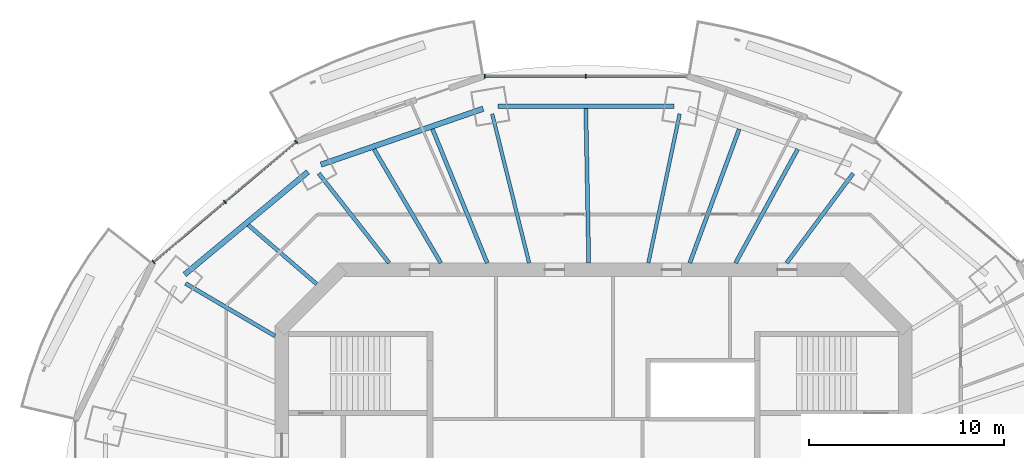
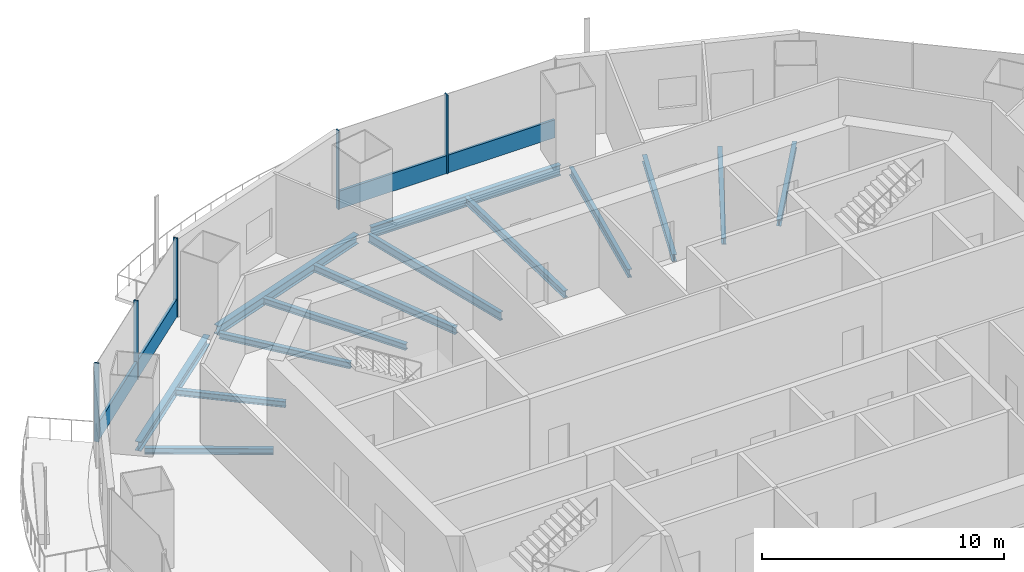
# One storey, part 5 of 16: 14 beams, 7 members, 2 elements without a shape of their own.
"""IFC4 building model written with IfcOpenShell, lengths in metres."""

from ifc_helpers import new_model, si_unit, direction, frame, origin, origin_2d, place, context, subcontext, project, spatial, rectangle, i_section, extrude, material, material_profile, profile_set, type_object, element, aggregate, save


model = new_model("IFC4")

# Units and contexts
model_context = context("Model", 3, precision=1e-05, world=origin(), true_north=direction((0.0, 1.0)))
body_context = subcontext(model_context, "Body", "Model", "MODEL_VIEW")
ifc_project = project(units=[si_unit("LENGTHUNIT", "METRE"), si_unit("AREAUNIT", "SQUARE_METRE"), si_unit("VOLUMEUNIT", "CUBIC_METRE"), si_unit("PLANEANGLEUNIT", "RADIAN"), si_unit("MASSUNIT", "GRAM", prefix="KILO")], contexts=[model_context])

# Site, building, storey
site_placement = place(None, origin())
site = spatial("IfcSite", under=ifc_project, at=site_placement, CompositionType="ELEMENT")
building_placement = place(site_placement, origin())
building = spatial("IfcBuilding", under=site, at=building_placement, Name="Marenthal Gate Tower", CompositionType="ELEMENT")
storey_placement = place(building_placement, frame((0.0, 0.0, 350.89990234375)))
storey = spatial("IfcBuildingStorey", under=building, at=storey_placement, Name="L79", CompositionType="ELEMENT", Elevation=350.89990234375)

# Curtain wall, members
ifc_material_1 = material(Name="Aluminium and glass", Category="aluminium")
curtain_wall_type = type_object("IfcCurtainWallType", Name="Curtain wall typical high", PredefinedType="NOTDEFINED", material=ifc_material_1)
curtain_wall_1_placement = place(storey_placement, origin())
curtain_wall_1 = element("IfcCurtainWall", 1, at=curtain_wall_1_placement, inside=storey, type_object=curtain_wall_type, Name="Curtain wall L79 bay 4", PredefinedType="NOTDEFINED")
ifc_material_2 = material(Name="Aluminium", Category="aluminium")
ifc_material_profile_1 = material_profile(ifc_material_2, rectangle(XDim=0.199951171875, YDim=0.06005859375, at=origin_2d()), Name="60x200 aluminium mullion")
ifc_profile_set_1 = profile_set([ifc_material_profile_1], Name="Aluminium")
member_type_1 = type_object("IfcMemberType", Name="Mullion 60x200 typical high", PredefinedType="MULLION", material=ifc_profile_set_1)
member_1_placement = place(storey_placement, frame((-0.39990234375, 22.944091796875, 0.0), z_axis=(0.0, 0.0, 1.0), x_axis=(0.0, -1.0, 0.0)))
member_1 = element("IfcMember", 2, at=member_1_placement, type_object=member_type_1, Name="Mullion L79 bay 4.2", PredefinedType="MULLION", context=body_context, shape_type="SweptSolid", body=[
    extrude(rectangle(XDim=0.199951171875, YDim=0.06005859375, at=origin_2d()), origin(), (0.0, 0.0, 1.0), 3.97021484375),
])
member_2_placement = place(storey_placement, frame((-5.580322265625, 22.944091796875, 0.0), z_axis=(0.0, 0.0, 1.0), x_axis=(0.0, -1.0, 0.0)))
member_2 = element("IfcMember", 3, at=member_2_placement, type_object=member_type_1, Name="Mullion L79 bay 4.3", PredefinedType="MULLION", context=body_context, shape_type="SweptSolid", body=[
    extrude(rectangle(XDim=0.199951171875, YDim=0.06005859375, at=origin_2d()), origin(), (0.0, 0.0, 1.0), 3.97021484375),
])

curtain_wall_2_placement = place(storey_placement, origin())
curtain_wall_2 = element("IfcCurtainWall", 4, at=curtain_wall_2_placement, inside=storey, type_object=curtain_wall_type, Name="Curtain wall L79 bay 6", PredefinedType="NOTDEFINED")
member_3_placement = place(storey_placement, frame((-15.260498046875, 19.56884765625, 0.0), z_axis=(0.0, 0.0, 1.0), x_axis=(0.643895579249, -0.765113379195, 0.0)))
member_3 = element("IfcMember", 5, at=member_3_placement, type_object=member_type_1, Name="Mullion L79 bay 6.1", PredefinedType="MULLION", context=body_context, shape_type="SweptSolid", body=[
    extrude(rectangle(XDim=0.199951171875, YDim=0.06005859375, at=origin_2d()), origin(), (0.0, 0.0, 1.0), 3.97021484375),
])
member_4_placement = place(storey_placement, frame((-18.921875, 16.487548828125, 0.0), z_axis=(0.0, 0.0, 1.0), x_axis=(0.643895579249, -0.765113379195, 0.0)))
member_4 = element("IfcMember", 6, at=member_4_placement, type_object=member_type_1, Name="Mullion L79 bay 6.2", PredefinedType="MULLION", context=body_context, shape_type="SweptSolid", body=[
    extrude(rectangle(XDim=0.199951171875, YDim=0.06005859375, at=origin_2d()), origin(), (0.0, 0.0, 1.0), 3.97021484375),
])
member_5_placement = place(storey_placement, frame((-22.583251953125, 13.40625, 0.0), z_axis=(0.0, 0.0, 1.0), x_axis=(0.643895579249, -0.765113379195, 0.0)))
member_5 = element("IfcMember", 7, at=member_5_placement, type_object=member_type_1, Name="Mullion L79 bay 6.3", PredefinedType="MULLION", context=body_context, shape_type="SweptSolid", body=[
    extrude(rectangle(XDim=0.199951171875, YDim=0.06005859375, at=origin_2d()), origin(), (0.0, 0.0, 1.0), 3.97021484375),
])

# Member
ifc_material_3 = material(Name="Aluminium", Category="aluminium")
ifc_material_profile_2 = material_profile(ifc_material_3, rectangle(XDim=0.1201171875, YDim=0.89990234375, at=origin_2d()), Name="120x900 aluminium transom")
ifc_profile_set_2 = profile_set([ifc_material_profile_2], Name="Aluminium")
member_type_2 = type_object("IfcMemberType", Name="Transom 120x900 typical high", PredefinedType="USERDEFINED", material=ifc_profile_set_2)
member_6_placement = place(storey_placement, frame((4.750244140625, 22.944091796875, 0.4501953125), z_axis=(-1.0, 0.0, 0.0), x_axis=(0.0, -1.0, 0.0)))
member_6 = element("IfcMember", 8, at=member_6_placement, type_object=member_type_2, Name="Transom L79 bay 4", ObjectType="TRANSOM", PredefinedType="USERDEFINED", context=body_context, shape_type="SweptSolid", body=[
    extrude(rectangle(XDim=0.1201171875, YDim=0.89990234375, at=origin_2d()), origin(), (0.0, 0.0, 1.0), 10.300537109375),
])

aggregate(curtain_wall_1, [member_1, member_2, member_6])

member_7_placement = place(storey_placement, frame((-15.283447265625, 19.549560546875, 0.4501953125), z_axis=(-0.765110860749, -0.643898571798, 0.0), x_axis=(0.643898571798, -0.765110860749, 0.0)))
member_7 = element("IfcMember", 9, at=member_7_placement, type_object=member_type_2, Name="Transom L79 bay 6", ObjectType="TRANSOM", PredefinedType="USERDEFINED", context=body_context, shape_type="SweptSolid", body=[
    extrude(rectangle(XDim=0.1201171875, YDim=0.89990234375, at=origin_2d()), origin(), (0.0, 0.0, 1.0), 9.5107421875),
])

aggregate(curtain_wall_2, [member_3, member_4, member_5, member_7])

# Beams
ifc_material_4 = material(Name="Steel S355", Category="steel")
ifc_material_profile_3 = material_profile(ifc_material_4, i_section(OverallWidth=0.202880859375, OverallDepth=0.302001953125, WebThickness=0.007568359375, FlangeThickness=0.01318359375, FilletRadius=0.0126953125, at=origin_2d()), Name="W310X60")
ifc_profile_set_3 = profile_set([ifc_material_profile_3], Name="Steel S355")
beam_type_1 = type_object("IfcBeamType", Name="W310X60 beam", PredefinedType="BEAM", material=ifc_profile_set_3)
beam_1_placement = place(storey_placement, frame((-17.718994140625, 15.29931640625, -0.330810546875), z_axis=(0.756893030268, -0.653538782882, 0.0), x_axis=(0.653538782882, 0.756893030268, 0.0)))
element("IfcBeam", 10, at=beam_1_placement, inside=storey, type_object=beam_type_1, Name="BM-L79-25", PredefinedType="BEAM", context=body_context, shape_type="SweptSolid", body=[
    extrude(i_section(OverallWidth=0.202880859375, OverallDepth=0.302001953125, WebThickness=0.007568359375, FlangeThickness=0.01318359375, FilletRadius=0.0126953125, at=origin_2d()), origin(), (0.0, 0.0, 1.0), 4.625244140625),
])
ifc_material_5 = material(Name="Steel S355", Category="steel")
ifc_material_profile_4 = material_profile(ifc_material_5, i_section(OverallWidth=0.205078125, OverallDepth=0.31005859375, WebThickness=0.009521484375, FlangeThickness=0.016357421875, FilletRadius=0.0126953125, at=origin_2d()), Name="W310X74")
ifc_profile_set_4 = profile_set([ifc_material_profile_4], Name="Steel S355")
beam_type_2 = type_object("IfcBeamType", Name="W310X74 beam", PredefinedType="BEAM", material=ifc_profile_set_4)
beam_2_placement = place(storey_placement, frame((13.31689453125, 17.947021484375, -0.3349609375), z_axis=(-0.595904600205, -0.803055233128, 0.0), x_axis=(0.803055233128, -0.595904600205, 0.0)))
element("IfcBeam", 11, at=beam_2_placement, inside=storey, type_object=beam_type_2, Name="BM-L79-03", PredefinedType="BEAM", context=body_context, shape_type="SweptSolid", body=[
    extrude(i_section(OverallWidth=0.205078125, OverallDepth=0.31005859375, WebThickness=0.009521484375, FlangeThickness=0.016357421875, FilletRadius=0.0126953125, at=origin_2d()), origin(), (0.0, 0.0, 1.0), 5.724365234375),
])
beam_3_placement = place(storey_placement, frame((-14.10546875, 17.95068359375, -0.3349609375), z_axis=(0.617873148228, -0.786277796138, 0.0), x_axis=(0.786277796138, 0.617873148228, 0.0)))
element("IfcBeam", 12, at=beam_3_placement, inside=storey, type_object=beam_type_2, Name="BM-L79-06", PredefinedType="BEAM", context=body_context, shape_type="SweptSolid", body=[
    extrude(i_section(OverallWidth=0.205078125, OverallDepth=0.31005859375, WebThickness=0.009521484375, FlangeThickness=0.016357421875, FilletRadius=0.0126953125, at=origin_2d()), origin(), (0.0, 0.0, 1.0), 5.85107421875),
])
beam_4_placement = place(storey_placement, frame((-20.939208984375, 12.3017578125, -0.3349609375), z_axis=(0.862215904587, -0.506540949852, 0.0), x_axis=(0.506540949852, 0.862215904587, 0.0)))
element("IfcBeam", 13, at=beam_4_placement, inside=storey, type_object=beam_type_2, Name="BM-L79-07", PredefinedType="BEAM", context=body_context, shape_type="SweptSolid", body=[
    extrude(i_section(OverallWidth=0.205078125, OverallDepth=0.31005859375, WebThickness=0.009521484375, FlangeThickness=0.016357421875, FilletRadius=0.0126953125, at=origin_2d()), origin(), (0.0, 0.0, 1.0), 5.322509765625),
])
beam_5_placement = place(storey_placement, frame((10.472900390625, 19.190185546875, -0.3349609375), z_axis=(-0.479083499801, -0.877769332011, 0.0), x_axis=(0.877769332011, -0.479083499801, 0.0)))
element("IfcBeam", 14, at=beam_5_placement, inside=storey, type_object=beam_type_2, Name="BM-L79-20", PredefinedType="BEAM", context=body_context, shape_type="SweptSolid", body=[
    extrude(i_section(OverallWidth=0.205078125, OverallDepth=0.31005859375, WebThickness=0.009521484375, FlangeThickness=0.016357421875, FilletRadius=0.0126953125, at=origin_2d()), origin(), (0.0, 0.0, 1.0), 6.6533203125),
])
beam_6_placement = place(storey_placement, frame((-11.2685546875, 19.191650390625, -0.3349609375), z_axis=(0.506358476452, -0.862323079435, 0.0), x_axis=(0.862323079435, 0.506358476452, 0.0)))
element("IfcBeam", 15, at=beam_6_placement, inside=storey, type_object=beam_type_2, Name="BM-L79-24", PredefinedType="BEAM", context=body_context, shape_type="SweptSolid", body=[
    extrude(i_section(OverallWidth=0.205078125, OverallDepth=0.31005859375, WebThickness=0.009521484375, FlangeThickness=0.016357421875, FilletRadius=0.0126953125, at=origin_2d()), origin(), (0.0, 0.0, 1.0), 6.774169921875),
])
ifc_material_6 = material(Name="Steel S355", Category="steel")
ifc_material_profile_5 = material_profile(ifc_material_6, i_section(OverallWidth=0.205078125, OverallDepth=0.35302734375, WebThickness=0.009521484375, FlangeThickness=0.016845703125, FilletRadius=0.014892578125, at=origin_2d()), Name="W360X79")
ifc_profile_set_5 = profile_set([ifc_material_profile_5], Name="Steel S355")
beam_type_3 = type_object("IfcBeamType", Name="W360X79 beam", PredefinedType="BEAM", material=ifc_profile_set_5)
beam_7_placement = place(storey_placement, frame((7.472900390625, 20.2236328125, -0.3564453125), z_axis=(-0.346599160147, -0.938013337957, 0.0), x_axis=(0.938013337957, -0.346599160147, 0.0)))
element("IfcBeam", 16, at=beam_7_placement, inside=storey, type_object=beam_type_3, Name="BM-L79-21", PredefinedType="BEAM", context=body_context, shape_type="SweptSolid", body=[
    extrude(i_section(OverallWidth=0.205078125, OverallDepth=0.35302734375, WebThickness=0.009521484375, FlangeThickness=0.016845703125, FilletRadius=0.014892578125, at=origin_2d()), origin(), (0.0, 0.0, 1.0), 7.32763671875),
])
beam_8_placement = place(storey_placement, frame((-0.39794921875, 21.28857421875, -0.3564453125), z_axis=(0.018695218948, -0.999825229122, 0.0), x_axis=(0.999825229122, 0.018695218948, 0.0)))
element("IfcBeam", 17, at=beam_8_placement, inside=storey, type_object=beam_type_3, Name="BM-L79-22", PredefinedType="BEAM", context=body_context, shape_type="SweptSolid", body=[
    extrude(i_section(OverallWidth=0.205078125, OverallDepth=0.35302734375, WebThickness=0.009521484375, FlangeThickness=0.016845703125, FilletRadius=0.014892578125, at=origin_2d()), origin(), (0.0, 0.0, 1.0), 7.93994140625),
])
beam_9_placement = place(storey_placement, frame((-8.268310546875, 20.22509765625, -0.3564453125), z_axis=(0.378407568357, -0.925639083126, 0.0), x_axis=(0.925639083126, 0.378407568357, 0.0)))
element("IfcBeam", 18, at=beam_9_placement, inside=storey, type_object=beam_type_3, Name="BM-L79-23", PredefinedType="BEAM", context=body_context, shape_type="SweptSolid", body=[
    extrude(i_section(OverallWidth=0.205078125, OverallDepth=0.35302734375, WebThickness=0.009521484375, FlangeThickness=0.016845703125, FilletRadius=0.014892578125, at=origin_2d()), origin(), (0.0, 0.0, 1.0), 7.42724609375),
])
ifc_material_7 = material(Name="Steel S355", Category="steel")
ifc_material_profile_6 = material_profile(ifc_material_7, i_section(OverallWidth=0.180908203125, OverallDepth=0.4169921875, WebThickness=0.010986328125, FlangeThickness=0.018310546875, FilletRadius=0.01025390625, at=origin_2d()), Name="W410X85")
ifc_profile_set_6 = profile_set([ifc_material_profile_6], Name="Steel S355")
beam_type_4 = type_object("IfcBeamType", Name="W410X85 beam", PredefinedType="BEAM", material=ifc_profile_set_6)
beam_10_placement = place(storey_placement, frame((4.41943359375, 21.002197265625, -0.388427734375), z_axis=(-0.205934953319, -0.978565682518, 0.0), x_axis=(0.978565682518, -0.205934953319, 0.0)))
element("IfcBeam", 19, at=beam_10_placement, inside=storey, type_object=beam_type_4, Name="BM-L79-04", PredefinedType="BEAM", context=body_context, shape_type="SweptSolid", body=[
    extrude(i_section(OverallWidth=0.180908203125, OverallDepth=0.4169921875, WebThickness=0.010986328125, FlangeThickness=0.018310546875, FilletRadius=0.01025390625, at=origin_2d()), origin(), (0.0, 0.0, 1.0), 7.81982421875),
])
beam_11_placement = place(storey_placement, frame((-5.205078125, 21.00341796875, -0.388427734375), z_axis=(0.240553471211, -0.970635888214, 0.0), x_axis=(0.970635888214, 0.240553471211, 0.0)))
element("IfcBeam", 20, at=beam_11_placement, inside=storey, type_object=beam_type_4, Name="BM-L79-05", PredefinedType="BEAM", context=body_context, shape_type="SweptSolid", body=[
    extrude(i_section(OverallWidth=0.180908203125, OverallDepth=0.4169921875, WebThickness=0.010986328125, FlangeThickness=0.018310546875, FilletRadius=0.01025390625, at=origin_2d()), origin(), (0.0, 0.0, 1.0), 7.884765625),
])
ifc_material_8 = material(Name="Steel S355", Category="steel")
ifc_material_profile_7 = material_profile(ifc_material_8, i_section(OverallWidth=0.279052734375, OverallDepth=0.4619140625, WebThickness=0.0107421875, FlangeThickness=0.017333984375, FilletRadius=0.010009765625, at=origin_2d()), Name="W460X113")
ifc_profile_set_7 = profile_set([ifc_material_profile_7], Name="Steel S355")
beam_type_5 = type_object("IfcBeamType", Name="W460X113 beam", PredefinedType="BEAM", material=ifc_profile_set_7)
beam_12_placement = place(storey_placement, frame((-5.66845703125, 21.268310546875, -0.410888671875), z_axis=(-0.945471662956, -0.325704366792, 0.0), x_axis=(0.325704366792, -0.945471662956, 0.0)))
element("IfcBeam", 21, at=beam_12_placement, inside=storey, type_object=beam_type_5, Name="BM-L79-44", PredefinedType="BEAM", context=body_context, shape_type="SweptSolid", body=[
    extrude(i_section(OverallWidth=0.279052734375, OverallDepth=0.4619140625, WebThickness=0.0107421875, FlangeThickness=0.017333984375, FilletRadius=0.010009765625, at=origin_2d()), origin(), (0.0, 0.0, 1.0), 8.8037109375),
])
beam_13_placement = place(storey_placement, frame((-14.659912109375, 18.024658203125, -0.410888671875), z_axis=(-0.768884423739, -0.639387787599, 0.0), x_axis=(0.639387787599, -0.768884423739, 0.0)))
element("IfcBeam", 22, at=beam_13_placement, inside=storey, type_object=beam_type_5, Name="BM-L79-45", PredefinedType="BEAM", context=body_context, shape_type="SweptSolid", body=[
    extrude(i_section(OverallWidth=0.279052734375, OverallDepth=0.4619140625, WebThickness=0.0107421875, FlangeThickness=0.017333984375, FilletRadius=0.010009765625, at=origin_2d()), origin(), (0.0, 0.0, 1.0), 8.233154296875),
])
ifc_material_9 = material(Name="Steel S355", Category="steel")
ifc_material_profile_8 = material_profile(ifc_material_9, i_section(OverallWidth=0.2119140625, OverallDepth=0.5439453125, WebThickness=0.01318359375, FlangeThickness=0.021240234375, FilletRadius=0.0126953125, at=origin_2d()), Name="W530X123")
ifc_profile_set_8 = profile_set([ifc_material_profile_8], Name="Steel S355")
beam_type_6 = type_object("IfcBeamType", Name="W530X123 beam", PredefinedType="BEAM", material=ifc_profile_set_8)
beam_14_placement = place(storey_placement, frame((4.114990234375, 21.39453125, -0.451904296875), z_axis=(-1.0, 0.0, 0.0), x_axis=(0.0, -1.0, 0.0)))
element("IfcBeam", 23, at=beam_14_placement, inside=storey, type_object=beam_type_6, Name="BM-L79-43", PredefinedType="BEAM", context=body_context, shape_type="SweptSolid", body=[
    extrude(i_section(OverallWidth=0.2119140625, OverallDepth=0.5439453125, WebThickness=0.01318359375, FlangeThickness=0.021240234375, FilletRadius=0.0126953125, at=origin_2d()), origin(), (0.0, 0.0, 1.0), 9.030029296875),
])

save(model, "model.ifc")
